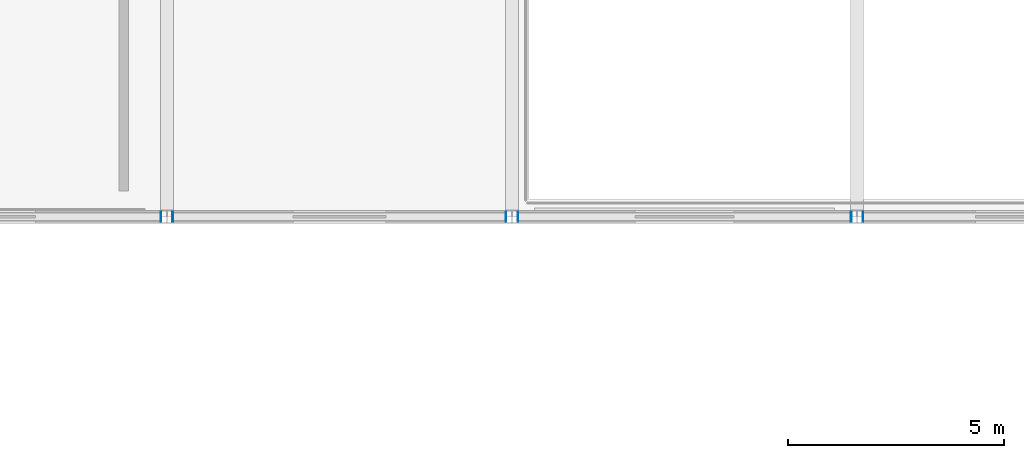
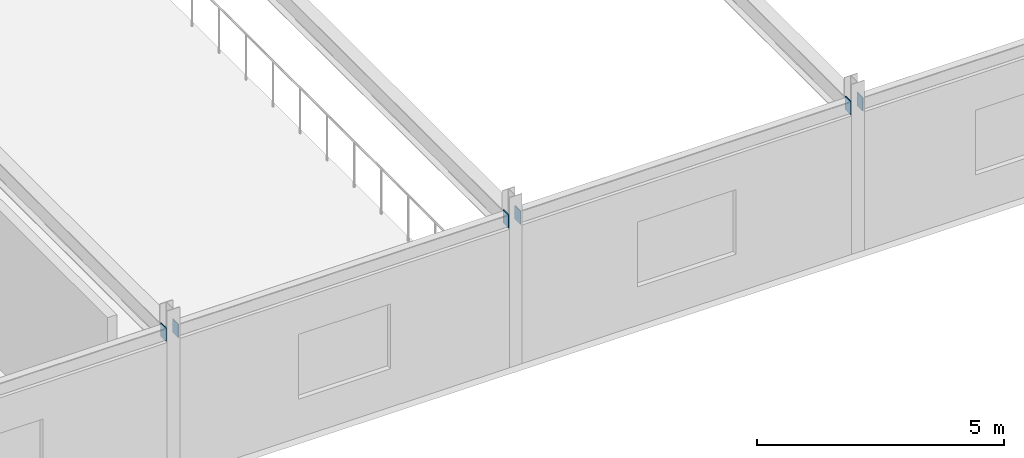
# One storey, part 57 of 88: 6 plates.
"""IFC4 building model written with IfcOpenShell, lengths in metres."""

from ifc_helpers import new_model, si_unit, direction, frame, origin, origin_2d, place, context, subcontext, project, spatial, rectangle, extrude, material, layer, layer_set, type_object, element, save


model = new_model("IFC4")

# Units and contexts
model_context = context("Model", 3, precision=1e-05, world=origin(), true_north=direction((0.0, 1.0)))
body_context = subcontext(model_context, "Body", "Model", "MODEL_VIEW")
ifc_project = project(units=[si_unit("LENGTHUNIT", "METRE"), si_unit("AREAUNIT", "SQUARE_METRE"), si_unit("VOLUMEUNIT", "CUBIC_METRE"), si_unit("PLANEANGLEUNIT", "RADIAN"), si_unit("MASSUNIT", "GRAM", prefix="KILO")], contexts=[model_context])

# Site, building, storey
site_placement = place(None, origin())
site = spatial("IfcSite", under=ifc_project, at=site_placement, CompositionType="ELEMENT")
building_placement = place(site_placement, origin())
building = spatial("IfcBuilding", under=site, at=building_placement, Name="Zhaolan Boulevard Law Courts", CompositionType="ELEMENT")
storey_placement = place(building_placement, frame((0.0, 0.0, 16.199951171875)))
storey = spatial("IfcBuildingStorey", under=building, at=storey_placement, Name="L03", CompositionType="ELEMENT", Elevation=16.199951171875)

# Plates
ifc_material = material(Name="Structural steel Q355B", Category="steel")
ifc_layer = layer(ifc_material, 0.02001953125)
ifc_layer_set = layer_set([ifc_layer])
plate_type = type_object("IfcPlateType", Name="END CAP PLATE 20", PredefinedType="SHEET", material=ifc_layer_set)
for number, where, z_axis, x_axis, name in (
    (1, (107.862060546875, 62.0, 3.423095703125), (0.0, 0.0, 1.0), (1.0, 0.0, 0.0), "Hollow Section End-Cap Plate ECP-0920"),
    (2, (108.137939453125, 62.0, 3.423095703125), (0.0, 0.0, 1.0), (1.0, 0.0, 0.0), "Hollow Section End-Cap Plate ECP-0921"),
    (3, (115.862060546875, 62.0, 3.423095703125), (0.0, 0.0, 1.0), (1.0, 0.0, 0.0), "Hollow Section End-Cap Plate ECP-0922"),
    (4, (116.137939453125, 62.0, 3.423095703125), (0.0, 0.0, 1.0), (1.0, 0.0, 0.0), "Hollow Section End-Cap Plate ECP-0923"),
    (5, (123.862060546875, 62.0, 3.423095703125), (0.0, 0.0, 1.0), (1.0, 0.0, 0.0), "Hollow Section End-Cap Plate ECP-0924"),
    (6, (124.137939453125, 62.0, 3.423095703125), (0.0, 0.0, 1.0), (1.0, 0.0, 0.0), "Hollow Section End-Cap Plate ECP-0925"),
):
    element("IfcPlate", number, at=place(storey_placement, frame(where, z_axis=z_axis, x_axis=x_axis)), inside=storey, type_object=plate_type, Name=name, PredefinedType="SHEET", context=body_context, shape_type="SweptSolid", body=[
        extrude(rectangle(XDim=0.02001953125, YDim=0.22998046875, at=origin_2d()), origin(), (0.0, 0.0, 1.0), 0.330078125),
    ])

save(model, "model.ifc")
